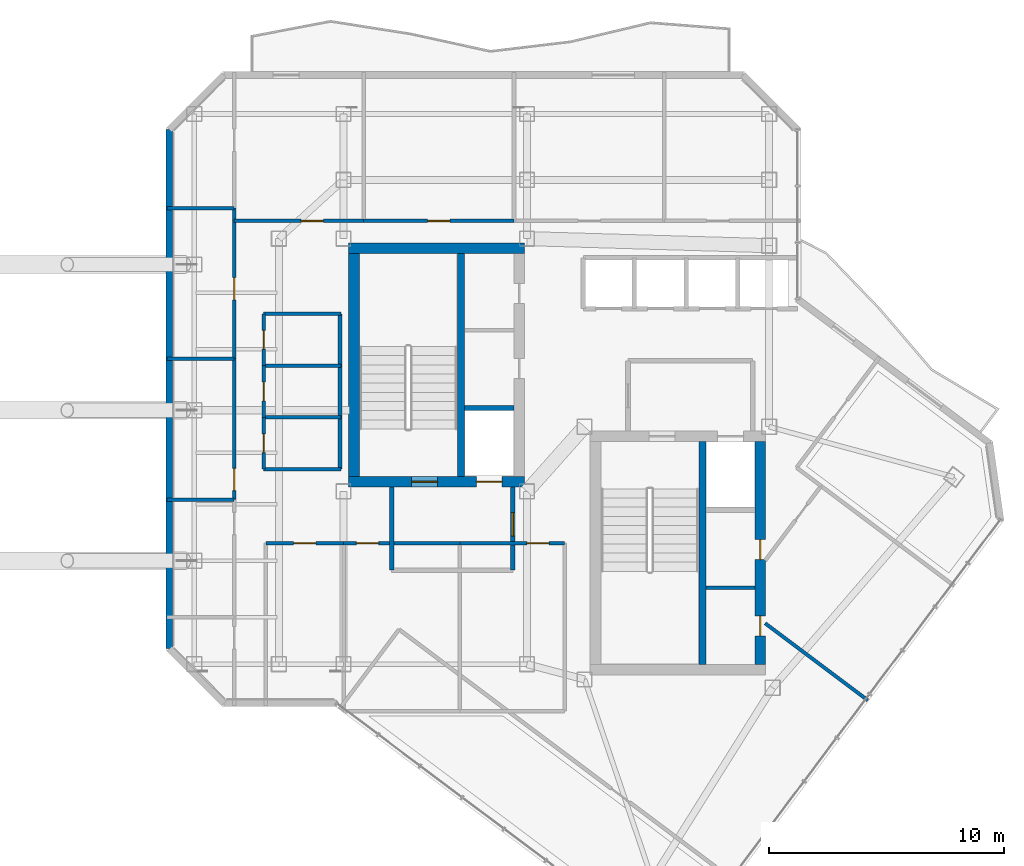
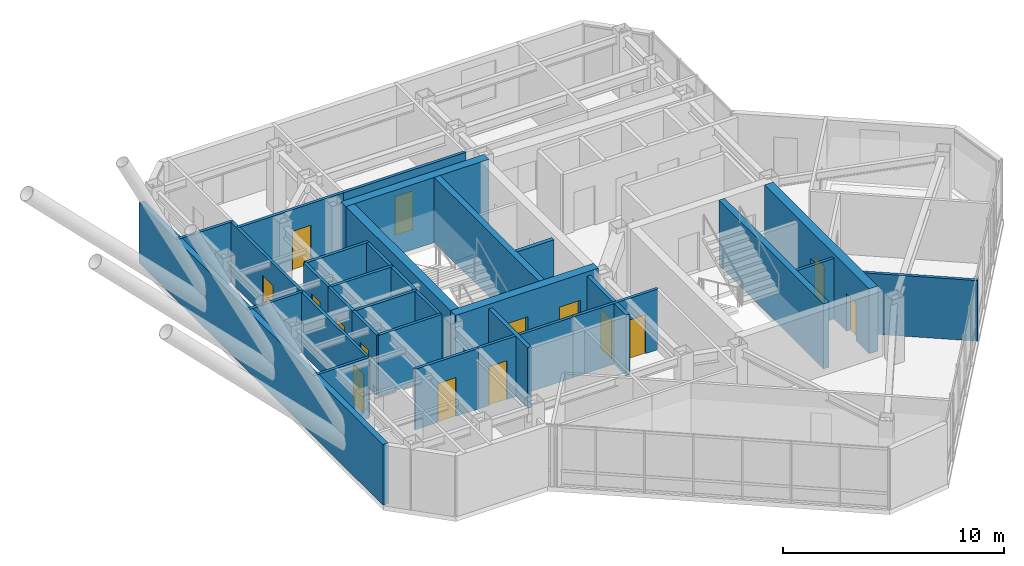
# One storey, part 16 of 21: 30 walls, 15 doors, 15 openings.
"""IFC4 building model written with IfcOpenShell, lengths in metres."""

from ifc_helpers import new_model, si_unit, direction, frame, frame_2d, origin, place, context, subcontext, project, spatial, rectangle, extrude, material, layer, layer_set, type_object, element, fill, save


model = new_model("IFC4")

# Units and contexts
model_context = context("Model", 3, precision=1e-05, world=origin(), true_north=direction((0.0, 1.0)))
body_context = subcontext(model_context, "Body", "Model", "MODEL_VIEW")
ifc_project = project(units=[si_unit("LENGTHUNIT", "METRE"), si_unit("AREAUNIT", "SQUARE_METRE"), si_unit("VOLUMEUNIT", "CUBIC_METRE"), si_unit("PLANEANGLEUNIT", "RADIAN"), si_unit("MASSUNIT", "GRAM", prefix="KILO")], contexts=[model_context])

# Site, building, storey
site_placement = place(None, origin())
site = spatial("IfcSite", under=ifc_project, at=site_placement, CompositionType="ELEMENT")
building_placement = place(site_placement, origin())
building = spatial("IfcBuilding", under=site, at=building_placement, Name="Hatsunagi Terrace Concourse", CompositionType="ELEMENT")
storey_placement = place(building_placement, frame((0.0, 0.0, 246.75)))
storey = spatial("IfcBuildingStorey", under=building, at=storey_placement, Name="L65", CompositionType="ELEMENT", Elevation=246.75)

# Wall, openings, doors
ifc_material_1 = material(Name="Concrete Fc42", Category="concrete")
ifc_layer_1 = layer(ifc_material_1, 0.449951171875)
ifc_layer_set_1 = layer_set([ifc_layer_1], Name="CoreShearWall_Fc42_450")
wall_type_1 = type_object("IfcWallType", Name="CoreShearWall_Fc42_450", PredefinedType="SHEAR", material=ifc_layer_set_1)
wall_1_placement = place(storey_placement, frame((25.77001953125, 32.965087890625, 0.0), z_axis=(0.0, 0.0, 1.0), x_axis=(1.0, 0.0, 0.0)))
wall_1 = element("IfcWall", 1, at=wall_1_placement, inside=storey, type_object=wall_type_1, Name="Core A Shear Wall S L65", PredefinedType="SHEAR", context=body_context, shape_type="SweptSolid", body=[
    extrude(rectangle(XDim=7.47998046875, YDim=0.449951171875, at=frame_2d((3.739990234375, 0.0))), origin(), (0.0, 0.0, 1.0), 3.60009765625),
])
opening_1_placement = place(wall_1_placement, frame((2.679931640625, 0.0, 0.0)))
opening_1 = element("IfcOpeningElement", 2, at=opening_1_placement, cuts=wall_1, Name="Opening DR-110S", PredefinedType="OPENING", context=body_context, shape_type="SweptSolid", body=[
    extrude(rectangle(XDim=1.10009765625, YDim=2.199951171875, at=frame_2d((0.550048828125, 1.10009765625))), frame((0.0, 0.23486328125, 0.0), z_axis=(0.0, -1.0, 0.0), x_axis=(1.0, 0.0, 0.0)), (0.0, 0.0, 1.0), 0.469970703125),
])
opening_2_placement = place(wall_1_placement, frame((5.429931640625, 0.0, 0.0)))
opening_2 = element("IfcOpeningElement", 3, at=opening_2_placement, cuts=wall_1, Name="Opening LD-01", PredefinedType="OPENING", context=body_context, shape_type="SweptSolid", body=[
    extrude(rectangle(XDim=1.10009765625, YDim=2.14990234375, at=frame_2d((0.550048828125, 1.074951171875))), frame((0.0, 0.23486328125, 0.0), z_axis=(0.0, -1.0, 0.0), x_axis=(1.0, 0.0, 0.0)), (0.0, 0.0, 1.0), 0.469970703125),
])
ifc_material_2 = material(Name="Stainless steel", Category="steel")
door_type_1 = type_object("IfcDoorType", Name="LiftLandingDoor_LD01", OperationType="SLIDING_TO_LEFT", PredefinedType="USERDEFINED", material=ifc_material_2)
door_1_placement = place(opening_2_placement, origin())
door_1 = element("IfcDoor", 4, at=door_1_placement, inside=storey, type_object=door_type_1, Name="Lift landing door FF-01 L65", ObjectType="SLIDING_LANDING_DOOR", OperationType="SLIDING_TO_LEFT", OverallHeight=2.14990234375, OverallWidth=1.10009765625, PredefinedType="USERDEFINED", context=body_context, shape_type="SweptSolid", body=[
    extrude(rectangle(XDim=1.10009765625, YDim=2.14990234375, at=frame_2d((0.550048828125, 1.074951171875))), frame((0.0, 0.02490234375, 0.0), z_axis=(0.0, -1.0, 0.0), x_axis=(1.0, 0.0, 0.0)), (0.0, 0.0, 1.0), 0.050048828125),
])
fill(opening_2, door_1)
ifc_material_3 = material(Name="Painted steel", Category="steel")
door_type_2 = type_object("IfcDoorType", Name="StairFireDoor_EI60_1100", OperationType="NOTDEFINED", PredefinedType="DOOR", material=ifc_material_3)
door_2_placement = place(opening_1_placement, origin())
door_2 = element("IfcDoor", 5, at=door_2_placement, inside=storey, type_object=door_type_2, Name="Stair ST-A Exit Door L65", OperationType="SINGLE_SWING_LEFT", OverallHeight=2.199951171875, OverallWidth=1.10009765625, PredefinedType="DOOR", context=body_context, shape_type="SweptSolid", body=[
    extrude(rectangle(XDim=1.10009765625, YDim=2.199951171875, at=frame_2d((0.550048828125, 1.10009765625))), frame((0.0, 0.02490234375, 0.0), z_axis=(0.0, -1.0, 0.0), x_axis=(1.0, 0.0, 0.0)), (0.0, 0.0, 1.0), 0.050048828125),
])
fill(opening_1, door_2)

# Walls
wall_2_placement = place(storey_placement, frame((25.77001953125, 42.89501953125, 0.0), z_axis=(0.0, 0.0, 1.0), x_axis=(1.0, 0.0, 0.0)))
element("IfcWall", 6, at=wall_2_placement, inside=storey, type_object=wall_type_1, Name="Core A Shear Wall N L65", PredefinedType="SHEAR", context=body_context, shape_type="SweptSolid", body=[
    extrude(rectangle(XDim=7.47998046875, YDim=0.449951171875, at=frame_2d((3.739990234375, 0.0))), origin(), (0.0, 0.0, 1.0), 3.60009765625),
])
wall_3_placement = place(storey_placement, frame((25.9951171875, 33.18994140625, 0.0), z_axis=(0.0, 0.0, 1.0), x_axis=(0.0, 1.0, 0.0)))
element("IfcWall", 7, at=wall_3_placement, inside=storey, type_object=wall_type_1, Name="Core A Shear Wall W L65", PredefinedType="SHEAR", context=body_context, shape_type="SweptSolid", body=[
    extrude(rectangle(XDim=9.47998046875, YDim=0.449951171875, at=frame_2d((4.739990234375, 0.0))), origin(), (0.0, 0.0, 1.0), 3.60009765625),
])

# Wall, openings, doors
wall_4_placement = place(storey_placement, frame((43.27490234375, 25.18994140625, 0.0), z_axis=(0.0, 0.0, 1.0), x_axis=(0.0, 1.0, 0.0)))
wall_4 = element("IfcWall", 8, at=wall_4_placement, inside=storey, type_object=wall_type_1, Name="Core B Shear Wall E L65", PredefinedType="SHEAR", context=body_context, shape_type="SweptSolid", body=[
    extrude(rectangle(XDim=9.47998046875, YDim=0.449951171875, at=frame_2d((4.739990234375, 0.0))), origin(), (0.0, 0.0, 1.0), 3.60009765625),
])
opening_3_placement = place(wall_4_placement, frame((1.2099609375, 0.0, 0.0)))
opening_3 = element("IfcOpeningElement", 9, at=opening_3_placement, cuts=wall_4, Name="Opening DR-085", PredefinedType="OPENING", context=body_context, shape_type="SweptSolid", body=[
    extrude(rectangle(XDim=0.85009765625, YDim=2.080078125, at=frame_2d((0.425048828125, 1.0400390625))), frame((0.0, 0.23486328125, 0.0), z_axis=(0.0, -1.0, 0.0), x_axis=(1.0, 0.0, 0.0)), (0.0, 0.0, 1.0), 0.469970703125),
])
opening_4_placement = place(wall_4_placement, frame((4.4599609375, 0.0, 0.0)))
opening_4 = element("IfcOpeningElement", 10, at=opening_4_placement, cuts=wall_4, Name="Opening DR-085", PredefinedType="OPENING", context=body_context, shape_type="SweptSolid", body=[
    extrude(rectangle(XDim=0.85009765625, YDim=2.080078125, at=frame_2d((0.425048828125, 1.0400390625))), frame((0.0, 0.23486328125, 0.0), z_axis=(0.0, -1.0, 0.0), x_axis=(1.0, 0.0, 0.0)), (0.0, 0.0, 1.0), 0.469970703125),
])
ifc_material_4 = material(Name="Painted steel", Category="steel")
door_type_3 = type_object("IfcDoorType", Name="RiserAccessDoor_EI60_850", OperationType="NOTDEFINED", PredefinedType="DOOR", material=ifc_material_4)
door_3_placement = place(opening_3_placement, origin())
door_3 = element("IfcDoor", 11, at=door_3_placement, inside=storey, type_object=door_type_3, Name="Core B Riser Door L65-1", OperationType="SINGLE_SWING_RIGHT", OverallHeight=2.080078125, OverallWidth=0.85009765625, PredefinedType="DOOR", context=body_context, shape_type="SweptSolid", body=[
    extrude(rectangle(XDim=0.85009765625, YDim=2.080078125, at=frame_2d((0.425048828125, 1.0400390625))), frame((0.0, 0.02490234375, 0.0), z_axis=(0.0, -1.0, 0.0), x_axis=(1.0, 0.0, 0.0)), (0.0, 0.0, 1.0), 0.050048828125),
])
fill(opening_3, door_3)
door_4_placement = place(opening_4_placement, origin())
door_4 = element("IfcDoor", 12, at=door_4_placement, inside=storey, type_object=door_type_3, Name="Core B Riser Door L65-2", OperationType="SINGLE_SWING_RIGHT", OverallHeight=2.080078125, OverallWidth=0.85009765625, PredefinedType="DOOR", context=body_context, shape_type="SweptSolid", body=[
    extrude(rectangle(XDim=0.85009765625, YDim=2.080078125, at=frame_2d((0.425048828125, 1.0400390625))), frame((0.0, 0.02490234375, 0.0), z_axis=(0.0, -1.0, 0.0), x_axis=(1.0, 0.0, 0.0)), (0.0, 0.0, 1.0), 0.050048828125),
])
fill(opening_4, door_4)

# Walls
ifc_material_5 = material(Name="Concrete Fc48", Category="concrete")
ifc_layer_2 = layer(ifc_material_5, 0.300048828125)
ifc_layer_set_2 = layer_set([ifc_layer_2], Name="CoreStairDivider_Fc48_300")
wall_type_2 = type_object("IfcWallType", Name="CoreStairDivider_Fc48_300", PredefinedType="SHEAR", material=ifc_layer_set_2)
for number, where, z_axis, x_axis, name in (
    (13, (30.5400390625, 33.18994140625, 0.0), (0.0, 0.0, 1.0), (0.0, 1.0, 0.0), "Core A Shear Wall D L65"),
    (14, (40.81005859375, 25.18994140625, 0.0), (0.0, 0.0, 1.0), (0.0, 1.0, 0.0), "Core B Shear Wall D L65"),
):
    element("IfcWall", number, at=place(storey_placement, frame(where, z_axis=z_axis, x_axis=x_axis)), inside=storey, type_object=wall_type_2, Name=name, PredefinedType="SHEAR", context=body_context, shape_type="SweptSolid", body=[
        extrude(rectangle(XDim=9.47998046875, YDim=0.300048828125, at=frame_2d((4.739990234375, 0.0))), origin(), (0.0, 0.0, 1.0), 3.60009765625),
    ])
ifc_material_6 = material(Name="Acoustic mineral board", Category="gypsum")
ifc_layer_3 = layer(ifc_material_6, 0.14990234375)
ifc_layer_set_3 = layer_set([ifc_layer_3], Name="PartitionWall_EI60_150")
wall_type_3 = type_object("IfcWallType", Name="PartitionWall_EI60_150", PredefinedType="PARTITIONING", material=ifc_layer_set_3)
wall_5_placement = place(storey_placement, frame((40.969970703125, 28.449951171875, 0.0), z_axis=(0.0, 0.0, 1.0), x_axis=(1.0, 0.0, 0.0)))
element("IfcWall", 15, at=wall_5_placement, inside=storey, type_object=wall_type_3, Name="Interior Partition IW-L65-004", PredefinedType="PARTITIONING", context=body_context, shape_type="SweptSolid", body=[
    extrude(rectangle(XDim=2.080078125, YDim=0.14990234375, at=frame_2d((1.0400390625, 0.0))), origin(), (0.0, 0.0, 1.0), 3.35009765625),
])
for number, where, z_axis, x_axis, name in (
    (16, (22.14990234375, 33.5, 0.0), (0.0, 0.0, 1.0), (1.0, 0.0, 0.0), "Interior Partition IW-L65-017"),
    (17, (22.14990234375, 40.10009765625, 0.0), (0.0, 0.0, 1.0), (1.0, 0.0, 0.0), "Interior Partition IW-L65-018"),
):
    element("IfcWall", number, at=place(storey_placement, frame(where, z_axis=z_axis, x_axis=x_axis)), inside=storey, type_object=wall_type_3, Name=name, PredefinedType="PARTITIONING", context=body_context, shape_type="SweptSolid", body=[
        extrude(rectangle(XDim=3.300048828125, YDim=0.14990234375, at=frame_2d((1.64990234375, 0.0))), origin(), (0.0, 0.0, 1.0), 3.35009765625),
    ])
wall_6_placement = place(storey_placement, frame((25.39990234375, 33.5, 0.0), z_axis=(0.0, 0.0, 1.0), x_axis=(0.0, 1.0, 0.0)))
element("IfcWall", 18, at=wall_6_placement, inside=storey, type_object=wall_type_3, Name="Interior Partition IW-L65-019", PredefinedType="PARTITIONING", context=body_context, shape_type="SweptSolid", body=[
    extrude(rectangle(XDim=6.60009765625, YDim=0.14990234375, at=frame_2d((3.300048828125, 0.0))), origin(), (0.0, 0.0, 1.0), 3.35009765625),
])
for number, where, z_axis, x_axis, name in (
    (19, (22.14990234375, 35.699951171875, 0.0), (0.0, 0.0, 1.0), (1.0, 0.0, 0.0), "Interior Partition IW-L65-020"),
    (20, (22.14990234375, 37.89990234375, 0.0), (0.0, 0.0, 1.0), (1.0, 0.0, 0.0), "Interior Partition IW-L65-021"),
):
    element("IfcWall", number, at=place(storey_placement, frame(where, z_axis=z_axis, x_axis=x_axis)), inside=storey, type_object=wall_type_3, Name=name, PredefinedType="PARTITIONING", context=body_context, shape_type="SweptSolid", body=[
        extrude(rectangle(XDim=3.300048828125, YDim=0.14990234375, at=frame_2d((1.64990234375, 0.0))), origin(), (0.0, 0.0, 1.0), 3.35009765625),
    ])

# Wall, opening, door
wall_7_placement = place(storey_placement, frame((22.14990234375, 33.5, 0.0), z_axis=(0.0, 0.0, 1.0), x_axis=(0.0, 1.0, 0.0)))
wall_7 = element("IfcWall", 21, at=wall_7_placement, inside=storey, type_object=wall_type_3, Name="Interior Partition IW-L65-022", PredefinedType="PARTITIONING", context=body_context, shape_type="SweptSolid", body=[
    extrude(rectangle(XDim=2.199951171875, YDim=0.14990234375, at=frame_2d((1.10009765625, 0.0))), origin(), (0.0, 0.0, 1.0), 3.35009765625),
])
opening_5_placement = place(wall_7_placement, frame((0.699951171875, 0.0, 0.0)))
opening_5 = element("IfcOpeningElement", 22, at=opening_5_placement, cuts=wall_7, Name="Opening DR-080", PredefinedType="OPENING", context=body_context, shape_type="SweptSolid", body=[
    extrude(rectangle(XDim=0.800048828125, YDim=2.06005859375, at=frame_2d((0.39990234375, 1.030029296875))), frame((0.0, 0.0849609375, 0.0), z_axis=(0.0, -1.0, 0.0), x_axis=(1.0, 0.0, 0.0)), (0.0, 0.0, 1.0), 0.169921875),
])
ifc_material_7 = material(Name="Hardwood timber", Category="wood")
door_type_4 = type_object("IfcDoorType", Name="BathroomDoor_800", OperationType="NOTDEFINED", PredefinedType="DOOR", material=ifc_material_7)
door_5_placement = place(opening_5_placement, origin())
door_5 = element("IfcDoor", 23, at=door_5_placement, inside=storey, type_object=door_type_4, Name="Accessible WC Door L65", OperationType="SINGLE_SWING_RIGHT", OverallHeight=2.06005859375, OverallWidth=0.800048828125, PredefinedType="DOOR", context=body_context, shape_type="SweptSolid", body=[
    extrude(rectangle(XDim=0.800048828125, YDim=2.06005859375, at=frame_2d((0.39990234375, 1.030029296875))), frame((0.0, 0.02490234375, 0.0), z_axis=(0.0, -1.0, 0.0), x_axis=(1.0, 0.0, 0.0)), (0.0, 0.0, 1.0), 0.050048828125),
])
fill(opening_5, door_5)

wall_8_placement = place(storey_placement, frame((22.14990234375, 35.699951171875, 0.0), z_axis=(0.0, 0.0, 1.0), x_axis=(0.0, 1.0, 0.0)))
wall_8 = element("IfcWall", 24, at=wall_8_placement, inside=storey, type_object=wall_type_3, Name="Interior Partition IW-L65-023", PredefinedType="PARTITIONING", context=body_context, shape_type="SweptSolid", body=[
    extrude(rectangle(XDim=2.199951171875, YDim=0.14990234375, at=frame_2d((1.10009765625, 0.0))), origin(), (0.0, 0.0, 1.0), 3.35009765625),
])
opening_6_placement = place(wall_8_placement, frame((0.699951171875, 0.0, 0.0)))
opening_6 = element("IfcOpeningElement", 25, at=opening_6_placement, cuts=wall_8, Name="Opening DR-080", PredefinedType="OPENING", context=body_context, shape_type="SweptSolid", body=[
    extrude(rectangle(XDim=0.800048828125, YDim=2.06005859375, at=frame_2d((0.39990234375, 1.030029296875))), frame((0.0, 0.0849609375, 0.0), z_axis=(0.0, -1.0, 0.0), x_axis=(1.0, 0.0, 0.0)), (0.0, 0.0, 1.0), 0.169921875),
])
door_6_placement = place(opening_6_placement, origin())
door_6 = element("IfcDoor", 26, at=door_6_placement, inside=storey, type_object=door_type_4, Name="Female Restroom Door L65", OperationType="SINGLE_SWING_RIGHT", OverallHeight=2.06005859375, OverallWidth=0.800048828125, PredefinedType="DOOR", context=body_context, shape_type="SweptSolid", body=[
    extrude(rectangle(XDim=0.800048828125, YDim=2.06005859375, at=frame_2d((0.39990234375, 1.030029296875))), frame((0.0, 0.02490234375, 0.0), z_axis=(0.0, -1.0, 0.0), x_axis=(1.0, 0.0, 0.0)), (0.0, 0.0, 1.0), 0.050048828125),
])
fill(opening_6, door_6)

wall_9_placement = place(storey_placement, frame((22.14990234375, 37.89990234375, 0.0), z_axis=(0.0, 0.0, 1.0), x_axis=(0.0, 1.0, 0.0)))
wall_9 = element("IfcWall", 27, at=wall_9_placement, inside=storey, type_object=wall_type_3, Name="Interior Partition IW-L65-024", PredefinedType="PARTITIONING", context=body_context, shape_type="SweptSolid", body=[
    extrude(rectangle(XDim=2.2001953125, YDim=0.14990234375, at=frame_2d((1.10009765625, 0.0))), origin(), (0.0, 0.0, 1.0), 3.35009765625),
])
opening_7_placement = place(wall_9_placement, frame((0.699951171875, 0.0, 0.0)))
opening_7 = element("IfcOpeningElement", 28, at=opening_7_placement, cuts=wall_9, Name="Opening DR-080", PredefinedType="OPENING", context=body_context, shape_type="SweptSolid", body=[
    extrude(rectangle(XDim=0.800048828125, YDim=2.06005859375, at=frame_2d((0.39990234375, 1.030029296875))), frame((0.0, 0.0849609375, 0.0), z_axis=(0.0, -1.0, 0.0), x_axis=(1.0, 0.0, 0.0)), (0.0, 0.0, 1.0), 0.169921875),
])
door_7_placement = place(opening_7_placement, origin())
door_7 = element("IfcDoor", 29, at=door_7_placement, inside=storey, type_object=door_type_4, Name="Male Restroom Door L65", OperationType="SINGLE_SWING_RIGHT", OverallHeight=2.06005859375, OverallWidth=0.800048828125, PredefinedType="DOOR", context=body_context, shape_type="SweptSolid", body=[
    extrude(rectangle(XDim=0.800048828125, YDim=2.06005859375, at=frame_2d((0.39990234375, 1.030029296875))), frame((0.0, 0.02490234375, 0.0), z_axis=(0.0, -1.0, 0.0), x_axis=(1.0, 0.0, 0.0)), (0.0, 0.0, 1.0), 0.050048828125),
])
fill(opening_7, door_7)

wall_10_placement = place(storey_placement, frame((25.550048828125, 30.35009765625, 0.0), z_axis=(0.0, 0.0, 1.0), x_axis=(1.0, 0.0, 0.0)))
wall_10 = element("IfcWall", 30, at=wall_10_placement, inside=storey, type_object=wall_type_3, Name="Interior Partition IW-L65-026", PredefinedType="PARTITIONING", context=body_context, shape_type="SweptSolid", body=[
    extrude(rectangle(XDim=4.949951171875, YDim=0.14990234375, at=frame_2d((2.47509765625, 0.0))), origin(), (0.0, 0.0, 1.0), 3.35009765625),
])
opening_8_placement = place(wall_10_placement, frame((0.5419921875, 0.0, 0.0)))
opening_8 = element("IfcOpeningElement", 31, at=opening_8_placement, cuts=wall_10, Name="Opening DR-095", PredefinedType="OPENING", context=body_context, shape_type="SweptSolid", body=[
    extrude(rectangle(XDim=0.949951171875, YDim=2.14990234375, at=frame_2d((0.47509765625, 1.074951171875))), frame((0.0, 0.0849609375, 0.0), z_axis=(0.0, -1.0, 0.0), x_axis=(1.0, 0.0, 0.0)), (0.0, 0.0, 1.0), 0.169921875),
])
ifc_material_8 = material(Name="Hardwood timber", Category="wood")
door_type_5 = type_object("IfcDoorType", Name="InteriorSuiteDoor_EI30_950", OperationType="NOTDEFINED", PredefinedType="DOOR", material=ifc_material_8)
door_8_placement = place(opening_8_placement, origin())
door_8 = element("IfcDoor", 32, at=door_8_placement, inside=storey, type_object=door_type_5, Name="Breakout Pantry L65-RECL1 Door", OperationType="SINGLE_SWING_RIGHT", OverallHeight=2.14990234375, OverallWidth=0.949951171875, PredefinedType="DOOR", context=body_context, shape_type="SweptSolid", body=[
    extrude(rectangle(XDim=0.949951171875, YDim=2.14990234375, at=frame_2d((0.47509765625, 1.074951171875))), frame((0.0, 0.02490234375, 0.0), z_axis=(0.0, -1.0, 0.0), x_axis=(1.0, 0.0, 0.0)), (0.0, 0.0, 1.0), 0.050048828125),
])
fill(opening_8, door_8)

wall_11_placement = place(storey_placement, frame((30.5, 30.35009765625, 0.0), z_axis=(0.0, 0.0, 1.0), x_axis=(1.0, 0.0, 0.0)))
wall_11 = element("IfcWall", 33, at=wall_11_placement, inside=storey, type_object=wall_type_3, Name="Interior Partition IW-L65-030", PredefinedType="PARTITIONING", context=body_context, shape_type="SweptSolid", body=[
    extrude(rectangle(XDim=4.449951171875, YDim=0.14990234375, at=frame_2d((2.22509765625, 0.0))), origin(), (0.0, 0.0, 1.0), 3.35009765625),
])
opening_9_placement = place(wall_11_placement, frame((2.845947265625, 0.0, 0.0)))
opening_9 = element("IfcOpeningElement", 34, at=opening_9_placement, cuts=wall_11, Name="Opening DR-095", PredefinedType="OPENING", context=body_context, shape_type="SweptSolid", body=[
    extrude(rectangle(XDim=0.949951171875, YDim=2.14990234375, at=frame_2d((0.47509765625, 1.074951171875))), frame((0.0, 0.0849609375, 0.0), z_axis=(0.0, -1.0, 0.0), x_axis=(1.0, 0.0, 0.0)), (0.0, 0.0, 1.0), 0.169921875),
])
door_9_placement = place(opening_9_placement, origin())
door_9 = element("IfcDoor", 35, at=door_9_placement, inside=storey, type_object=door_type_5, Name="Focus Room L65-RECL2 Door", OperationType="SINGLE_SWING_RIGHT", OverallHeight=2.14990234375, OverallWidth=0.949951171875, PredefinedType="DOOR", context=body_context, shape_type="SweptSolid", body=[
    extrude(rectangle(XDim=0.949951171875, YDim=2.14990234375, at=frame_2d((0.47509765625, 1.074951171875))), frame((0.0, 0.02490234375, 0.0), z_axis=(0.0, -1.0, 0.0), x_axis=(1.0, 0.0, 0.0)), (0.0, 0.0, 1.0), 0.050048828125),
])
fill(opening_9, door_9)

# Walls
for number, where, z_axis, x_axis, name in (
    (36, (18.0400390625, 32.199951171875, 0.0), (0.0, 0.0, 1.0), (1.0, 0.0, 0.0), "Interior Partition IW-L65-034"),
    (37, (18.0400390625, 38.199951171875, 0.0), (0.0, 0.0, 1.0), (1.0, 0.0, 0.0), "Interior Partition IW-L65-036"),
):
    element("IfcWall", number, at=place(storey_placement, frame(where, z_axis=z_axis, x_axis=x_axis)), inside=storey, type_object=wall_type_3, Name=name, PredefinedType="PARTITIONING", context=body_context, shape_type="SweptSolid", body=[
        extrude(rectangle(XDim=2.85986328125, YDim=0.14990234375, at=frame_2d((1.429931640625, 0.0))), origin(), (0.0, 0.0, 1.0), 3.35009765625),
    ])

# Wall, opening, door
wall_12_placement = place(storey_placement, frame((20.89990234375, 32.199951171875, 0.0), z_axis=(0.0, 0.0, 1.0), x_axis=(0.0, 1.0, 0.0)))
wall_12 = element("IfcWall", 38, at=wall_12_placement, inside=storey, type_object=wall_type_3, Name="Interior Partition IW-L65-037", PredefinedType="PARTITIONING", context=body_context, shape_type="SweptSolid", body=[
    extrude(rectangle(XDim=6.0, YDim=0.14990234375, at=frame_2d((3.0, 0.0))), origin(), (0.0, 0.0, 1.0), 3.35009765625),
])
opening_10_placement = place(wall_12_placement, frame((0.3798828125, 0.0, 0.0)))
opening_10 = element("IfcOpeningElement", 39, at=opening_10_placement, cuts=wall_12, Name="Opening DR-095", PredefinedType="OPENING", context=body_context, shape_type="SweptSolid", body=[
    extrude(rectangle(XDim=0.949951171875, YDim=2.14990234375, at=frame_2d((0.47509765625, 1.074951171875))), frame((0.0, 0.0849609375, 0.0), z_axis=(0.0, -1.0, 0.0), x_axis=(1.0, 0.0, 0.0)), (0.0, 0.0, 1.0), 0.169921875),
])
door_10_placement = place(opening_10_placement, origin())
door_10 = element("IfcDoor", 40, at=door_10_placement, inside=storey, type_object=door_type_5, Name="Meeting Room L65-OW3 Door", OperationType="SINGLE_SWING_RIGHT", OverallHeight=2.14990234375, OverallWidth=0.949951171875, PredefinedType="DOOR", context=body_context, shape_type="SweptSolid", body=[
    extrude(rectangle(XDim=0.949951171875, YDim=2.14990234375, at=frame_2d((0.47509765625, 1.074951171875))), frame((0.0, 0.02490234375, 0.0), z_axis=(0.0, -1.0, 0.0), x_axis=(1.0, 0.0, 0.0)), (0.0, 0.0, 1.0), 0.050048828125),
])
fill(opening_10, door_10)

# Wall
wall_13_placement = place(storey_placement, frame((18.0400390625, 44.60009765625, 0.0), z_axis=(0.0, 0.0, 1.0), x_axis=(1.0, 0.0, 0.0)))
element("IfcWall", 41, at=wall_13_placement, inside=storey, type_object=wall_type_3, Name="Interior Partition IW-L65-038", PredefinedType="PARTITIONING", context=body_context, shape_type="SweptSolid", body=[
    extrude(rectangle(XDim=2.85986328125, YDim=0.14990234375, at=frame_2d((1.429931640625, 0.0))), origin(), (0.0, 0.0, 1.0), 3.35009765625),
])

# Wall, opening, door
wall_14_placement = place(storey_placement, frame((20.89990234375, 38.199951171875, 0.0), z_axis=(0.0, 0.0, 1.0), x_axis=(0.0, 1.0, 0.0)))
wall_14 = element("IfcWall", 42, at=wall_14_placement, inside=storey, type_object=wall_type_3, Name="Interior Partition IW-L65-039", PredefinedType="PARTITIONING", context=body_context, shape_type="SweptSolid", body=[
    extrude(rectangle(XDim=6.400146484375, YDim=0.14990234375, at=frame_2d((3.2001953125, 0.0))), origin(), (0.0, 0.0, 1.0), 3.35009765625),
])
opening_11_placement = place(wall_14_placement, frame((2.489990234375, 0.0, 0.0)))
opening_11 = element("IfcOpeningElement", 43, at=opening_11_placement, cuts=wall_14, Name="Opening DR-095", PredefinedType="OPENING", context=body_context, shape_type="SweptSolid", body=[
    extrude(rectangle(XDim=0.949951171875, YDim=2.14990234375, at=frame_2d((0.47509765625, 1.074951171875))), frame((0.0, 0.0849609375, 0.0), z_axis=(0.0, -1.0, 0.0), x_axis=(1.0, 0.0, 0.0)), (0.0, 0.0, 1.0), 0.169921875),
])
door_11_placement = place(opening_11_placement, origin())
door_11 = element("IfcDoor", 44, at=door_11_placement, inside=storey, type_object=door_type_5, Name="Team Innovation Studio L65-OW4 Door", OperationType="SINGLE_SWING_RIGHT", OverallHeight=2.14990234375, OverallWidth=0.949951171875, PredefinedType="DOOR", context=body_context, shape_type="SweptSolid", body=[
    extrude(rectangle(XDim=0.949951171875, YDim=2.14990234375, at=frame_2d((0.47509765625, 1.074951171875))), frame((0.0, 0.02490234375, 0.0), z_axis=(0.0, -1.0, 0.0), x_axis=(1.0, 0.0, 0.0)), (0.0, 0.0, 1.0), 0.050048828125),
])
fill(opening_11, door_11)

wall_15_placement = place(storey_placement, frame((20.89990234375, 44.050048828125, 0.0), z_axis=(0.0, 0.0, 1.0), x_axis=(1.0, 0.0, 0.0)))
wall_15 = element("IfcWall", 45, at=wall_15_placement, inside=storey, type_object=wall_type_3, Name="Interior Partition IW-L65-041", PredefinedType="PARTITIONING", context=body_context, shape_type="SweptSolid", body=[
    extrude(rectangle(XDim=5.5, YDim=0.14990234375, at=frame_2d((2.75, 0.0))), origin(), (0.0, 0.0, 1.0), 3.35009765625),
])
opening_12_placement = place(wall_15_placement, frame((2.843017578125, 0.0, 0.0)))
opening_12 = element("IfcOpeningElement", 46, at=opening_12_placement, cuts=wall_15, Name="Opening DR-095", PredefinedType="OPENING", context=body_context, shape_type="SweptSolid", body=[
    extrude(rectangle(XDim=0.949951171875, YDim=2.14990234375, at=frame_2d((0.47509765625, 1.074951171875))), frame((0.0, 0.0849609375, 0.0), z_axis=(0.0, -1.0, 0.0), x_axis=(1.0, 0.0, 0.0)), (0.0, 0.0, 1.0), 0.169921875),
])
door_12_placement = place(opening_12_placement, origin())
door_12 = element("IfcDoor", 47, at=door_12_placement, inside=storey, type_object=door_type_5, Name="Meeting Room L65-ON1 Door", OperationType="SINGLE_SWING_LEFT", OverallHeight=2.14990234375, OverallWidth=0.949951171875, PredefinedType="DOOR", context=body_context, shape_type="SweptSolid", body=[
    extrude(rectangle(XDim=0.949951171875, YDim=2.14990234375, at=frame_2d((0.47509765625, 1.074951171875))), frame((0.0, 0.02490234375, 0.0), z_axis=(0.0, -1.0, 0.0), x_axis=(1.0, 0.0, 0.0)), (0.0, 0.0, 1.0), 0.050048828125),
])
fill(opening_12, door_12)

wall_16_placement = place(storey_placement, frame((26.39990234375, 44.050048828125, 0.0), z_axis=(0.0, 0.0, 1.0), x_axis=(1.0, 0.0, 0.0)))
wall_16 = element("IfcWall", 48, at=wall_16_placement, inside=storey, type_object=wall_type_3, Name="Interior Partition IW-L65-043", PredefinedType="PARTITIONING", context=body_context, shape_type="SweptSolid", body=[
    extrude(rectangle(XDim=6.400146484375, YDim=0.14990234375, at=frame_2d((3.2001953125, 0.0))), origin(), (0.0, 0.0, 1.0), 3.35009765625),
])
opening_13_placement = place(wall_16_placement, frame((2.72509765625, 0.0, 0.0)))
opening_13 = element("IfcOpeningElement", 49, at=opening_13_placement, cuts=wall_16, Name="Opening DR-095", PredefinedType="OPENING", context=body_context, shape_type="SweptSolid", body=[
    extrude(rectangle(XDim=0.949951171875, YDim=2.14990234375, at=frame_2d((0.47509765625, 1.074951171875))), frame((0.0, 0.0849609375, 0.0), z_axis=(0.0, -1.0, 0.0), x_axis=(1.0, 0.0, 0.0)), (0.0, 0.0, 1.0), 0.169921875),
])
door_13_placement = place(opening_13_placement, origin())
door_13 = element("IfcDoor", 50, at=door_13_placement, inside=storey, type_object=door_type_5, Name="Client Consultation Room L65-ON2 Door", OperationType="SINGLE_SWING_LEFT", OverallHeight=2.14990234375, OverallWidth=0.949951171875, PredefinedType="DOOR", context=body_context, shape_type="SweptSolid", body=[
    extrude(rectangle(XDim=0.949951171875, YDim=2.14990234375, at=frame_2d((0.47509765625, 1.074951171875))), frame((0.0, 0.02490234375, 0.0), z_axis=(0.0, -1.0, 0.0), x_axis=(1.0, 0.0, 0.0)), (0.0, 0.0, 1.0), 0.050048828125),
])
fill(opening_13, door_13)

# Wall
wall_17_placement = place(storey_placement, frame((43.47998046875, 26.93994140625, 0.0), z_axis=(0.0, 0.0, 1.0), x_axis=(0.80000536583, -0.599992845493, 0.0)))
element("IfcWall", 51, at=wall_17_placement, inside=storey, type_object=wall_type_3, Name="Interior Partition IW-L65-048", PredefinedType="PARTITIONING", context=body_context, shape_type="SweptSolid", body=[
    extrude(rectangle(XDim=5.4599609375, YDim=0.14990234375, at=frame_2d((2.72998046875, 0.0))), origin(), (0.0, 0.0, 1.0), 3.35009765625),
])

# Wall, opening, door
wall_18_placement = place(storey_placement, frame((22.25, 30.35009765625, 0.0), z_axis=(0.0, 0.0, 1.0), x_axis=(1.0, 0.0, 0.0)))
wall_18 = element("IfcWall", 52, at=wall_18_placement, inside=storey, type_object=wall_type_3, Name="Interior Partition IW-L65-053", PredefinedType="PARTITIONING", context=body_context, shape_type="SweptSolid", body=[
    extrude(rectangle(XDim=3.300048828125, YDim=0.14990234375, at=frame_2d((1.64990234375, 0.0))), origin(), (0.0, 0.0, 1.0), 3.35009765625),
])
opening_14_placement = place(wall_18_placement, frame((1.175048828125, 0.0, 0.0)))
opening_14 = element("IfcOpeningElement", 53, at=opening_14_placement, cuts=wall_18, Name="Opening DR-095", PredefinedType="OPENING", context=body_context, shape_type="SweptSolid", body=[
    extrude(rectangle(XDim=0.949951171875, YDim=2.14990234375, at=frame_2d((0.47509765625, 1.074951171875))), frame((0.0, 0.0849609375, 0.0), z_axis=(0.0, -1.0, 0.0), x_axis=(1.0, 0.0, 0.0)), (0.0, 0.0, 1.0), 0.169921875),
])
door_14_placement = place(opening_14_placement, origin())
door_14 = element("IfcDoor", 54, at=door_14_placement, inside=storey, type_object=door_type_5, Name="Private Salon L65-OCSW Door", OperationType="SINGLE_SWING_RIGHT", OverallHeight=2.14990234375, OverallWidth=0.949951171875, PredefinedType="DOOR", context=body_context, shape_type="SweptSolid", body=[
    extrude(rectangle(XDim=0.949951171875, YDim=2.14990234375, at=frame_2d((0.47509765625, 1.074951171875))), frame((0.0, 0.02490234375, 0.0), z_axis=(0.0, -1.0, 0.0), x_axis=(1.0, 0.0, 0.0)), (0.0, 0.0, 1.0), 0.050048828125),
])
fill(opening_14, door_14)

# Walls
ifc_material_9 = material(Name="Acoustic mineral board", Category="gypsum")
ifc_layer_4 = layer(ifc_material_9, 0.199951171875)
ifc_layer_set_4 = layer_set([ifc_layer_4], Name="ShaftWall_EI120_200")
wall_type_4 = type_object("IfcWallType", Name="ShaftWall_EI120_200", PredefinedType="STANDARD", material=ifc_layer_set_4)
wall_19_placement = place(storey_placement, frame((30.699951171875, 36.10009765625, 0.0), z_axis=(0.0, 0.0, 1.0), x_axis=(1.0, 0.0, 0.0)))
element("IfcWall", 55, at=wall_19_placement, inside=storey, type_object=wall_type_4, Name="Interior Partition IW-L65-001", PredefinedType="STANDARD", context=body_context, shape_type="SweptSolid", body=[
    extrude(rectangle(XDim=2.10009765625, YDim=0.199951171875, at=frame_2d((1.050048828125, 0.0))), origin(), (0.0, 0.0, 1.0), 3.35009765625),
])
wall_20_placement = place(storey_placement, frame((27.60009765625, 29.199951171875, 0.0), z_axis=(0.0, 0.0, 1.0), x_axis=(0.0, 1.0, 0.0)))
element("IfcWall", 56, at=wall_20_placement, inside=storey, type_object=wall_type_4, Name="Interior Partition IW-L65-006", PredefinedType="STANDARD", context=body_context, shape_type="SweptSolid", body=[
    extrude(rectangle(XDim=3.5400390625, YDim=0.199951171875, at=frame_2d((1.77001953125, 0.0))), origin(), (0.0, 0.0, 1.0), 3.35009765625),
])

# Wall, opening, door
wall_21_placement = place(storey_placement, frame((32.75, 29.199951171875, 0.0), z_axis=(0.0, 0.0, 1.0), x_axis=(0.0, 1.0, 0.0)))
wall_21 = element("IfcWall", 57, at=wall_21_placement, inside=storey, type_object=wall_type_4, Name="Interior Partition IW-L65-007", PredefinedType="STANDARD", context=body_context, shape_type="SweptSolid", body=[
    extrude(rectangle(XDim=3.5400390625, YDim=0.199951171875, at=frame_2d((1.77001953125, 0.0))), origin(), (0.0, 0.0, 1.0), 3.35009765625),
])
opening_15_placement = place(wall_21_placement, frame((1.449951171875, 0.0, 0.0)))
opening_15 = element("IfcOpeningElement", 58, at=opening_15_placement, cuts=wall_21, Name="Opening DR-100F", PredefinedType="OPENING", context=body_context, shape_type="SweptSolid", body=[
    extrude(rectangle(XDim=1.0, YDim=2.199951171875, at=frame_2d((0.5, 1.10009765625))), frame((0.0, 0.10986328125, 0.0), z_axis=(0.0, -1.0, 0.0), x_axis=(1.0, 0.0, 0.0)), (0.0, 0.0, 1.0), 0.219970703125),
])
ifc_material_10 = material(Name="Painted steel", Category="steel")
door_type_6 = type_object("IfcDoorType", Name="FireDoor_EI60_1000", OperationType="NOTDEFINED", PredefinedType="DOOR", material=ifc_material_10)
door_15_placement = place(opening_15_placement, origin())
door_15 = element("IfcDoor", 59, at=door_15_placement, inside=storey, type_object=door_type_6, Name="Firefighting Lobby A Door L65", OperationType="SINGLE_SWING_RIGHT", OverallHeight=2.199951171875, OverallWidth=1.0, PredefinedType="DOOR", context=body_context, shape_type="SweptSolid", body=[
    extrude(rectangle(XDim=1.0, YDim=2.199951171875, at=frame_2d((0.5, 1.10009765625))), frame((0.0, 0.02490234375, 0.0), z_axis=(0.0, -1.0, 0.0), x_axis=(1.0, 0.0, 0.0)), (0.0, 0.0, 1.0), 0.050048828125),
])
fill(opening_15, door_15)

# Wall
ifc_material_11 = material(Name="Autoclaved Lightweight Concrete and Terracotta Cladding", Category="masonry")
ifc_layer_5 = layer(ifc_material_11, 0.280029296875)
ifc_layer_set_5 = layer_set([ifc_layer_5], Name="TerracottaSpandrelWall_280")
wall_type_5 = type_object("IfcWallType", Name="TerracottaSpandrelWall_280", PredefinedType="STANDARD", material=ifc_layer_set_5)
wall_22_placement = place(storey_placement, frame((18.139892578125, 25.85791015625, 0.0), z_axis=(0.0, 0.0, 1.0), x_axis=(0.0, 1.0, 0.0)))
element("IfcWall", 60, at=wall_22_placement, inside=storey, type_object=wall_type_5, Name="Exterior Spandrel Wall EW-L65-08", PredefinedType="STANDARD", context=body_context, shape_type="SweptSolid", body=[
    extrude(rectangle(XDim=22.083984375, YDim=0.280029296875, at=frame_2d((11.0419921875, 0.0))), origin(), (0.0, 0.0, 1.0), 3.35009765625),
])

save(model, "model.ifc")
